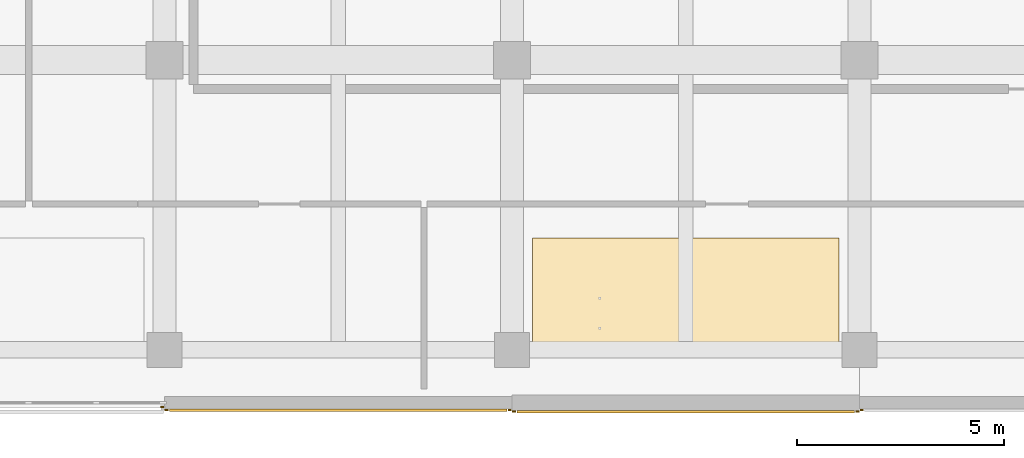
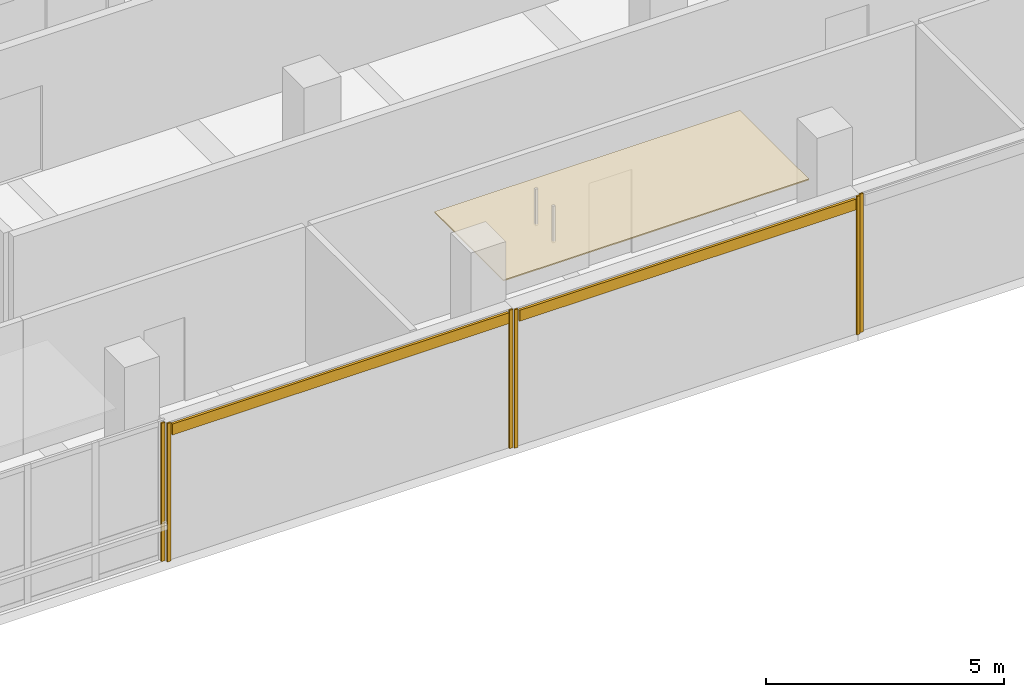
# One storey, part 29 of 39: 9 coverings.
"""IFC4 building model written with IfcOpenShell, lengths in metres."""

from ifc_helpers import new_model, si_unit, direction, frame, origin, origin_2d, place, context, subcontext, project, spatial, polyline, rectangle, outline, extrude, material, layer, layer_set, type_object, element, save


model = new_model("IFC4")

# Units and contexts
model_context = context("Model", 3, precision=1e-05, world=origin(), true_north=direction((0.0, 1.0)))
body_context = subcontext(model_context, "Body", "Model", "MODEL_VIEW")
ifc_project = project(units=[si_unit("LENGTHUNIT", "METRE"), si_unit("AREAUNIT", "SQUARE_METRE"), si_unit("VOLUMEUNIT", "CUBIC_METRE"), si_unit("PLANEANGLEUNIT", "RADIAN"), si_unit("MASSUNIT", "GRAM", prefix="KILO")], contexts=[model_context])

# Site, building, storey
site_placement = place(None, origin())
site = spatial("IfcSite", under=ifc_project, at=site_placement, CompositionType="ELEMENT")
building_placement = place(site_placement, origin())
building = spatial("IfcBuilding", under=site, at=building_placement, Name="Telukmera Botanical Conservatory", CompositionType="ELEMENT")
storey_placement = place(building_placement, frame((0.0, 0.0, 19.5)))
storey = spatial("IfcBuildingStorey", under=building, at=storey_placement, Name="L04", CompositionType="ELEMENT", Elevation=19.5)

# Coverings
ifc_material_1 = material(Name="Mineral fibre acoustic ceiling")
ifc_layer_1 = layer(ifc_material_1, 0.030029296875)
ifc_layer_set_1 = layer_set([ifc_layer_1], Name="Mineral fibre acoustic ceiling")
covering_type_1 = type_object("IfcCoveringType", Name="COV-CEIL-30", PredefinedType="CEILING", material=ifc_layer_set_1)
covering_placement = place(storey_placement, frame((0.0, 0.0, 3.320068359375)))
element("IfcCovering", 1, at=covering_placement, inside=storey, type_object=covering_type_1, Name="L04 Herbarium Digitization Studio Suspended Acoustic Ceiling", PredefinedType="CEILING", context=body_context, shape_type="SweptSolid", body=[
    extrude(outline(polyline([(67.695068359375, 10.39990234375), (75.10498046875, 10.39990234375), (75.10498046875, 13.300048828125), (67.695068359375, 13.300048828125), (67.695068359375, 10.39990234375)])), origin(), (0.0, 0.0, 1.0), 0.030029296875),
])
ifc_material_2 = material(Name="Granite-faced precast concrete C40/50", Category="masonry")
ifc_layer_2 = layer(ifc_material_2, 0.0400390625)
ifc_layer_set_2 = layer_set([ifc_layer_2], Name="Granite-faced precast concrete C40/50")
covering_type_2 = type_object("IfcCoveringType", Name="Granite Precast Column Pier Reveal Casing", PredefinedType="CLADDING", material=ifc_layer_set_2)
for number, where, z_axis, x_axis, name in (
    (2, (58.748046875, 9.219970703125, 0.0), (0.0, 0.0, 1.0), (1.0, 0.0, 0.0), "Granite Pier Reveal V4:L04:S1 R"),
    (3, (58.85205078125, 9.14990234375, 0.0), (0.0, 0.0, 1.0), (1.0, 0.0, 0.0), "Granite Pier Reveal V4:L04:S2 L"),
    (4, (67.14794921875, 9.14990234375, 0.0), (0.0, 0.0, 1.0), (1.0, 0.0, 0.0), "Granite Pier Reveal V4:L04:S2 R"),
    (5, (67.251953125, 9.110107421875, 0.0), (0.0, 0.0, 1.0), (1.0, 0.0, 0.0), "Granite Pier Reveal V4:L04:S3 L"),
    (6, (75.548095703125, 9.110107421875, 0.0), (0.0, 0.0, 1.0), (1.0, 0.0, 0.0), "Granite Pier Reveal V4:L04:S3 R"),
    (7, (75.652099609375, 9.14990234375, 0.0), (0.0, 0.0, 1.0), (1.0, 0.0, 0.0), "Granite Pier Reveal V4:L04:S4 L"),
):
    element("IfcCovering", number, at=place(storey_placement, frame(where, z_axis=z_axis, x_axis=x_axis)), inside=storey, type_object=covering_type_2, Name=name, PredefinedType="CLADDING", context=body_context, shape_type="SweptSolid", body=[
        extrude(rectangle(XDim=0.080078125, YDim=0.0400390625, at=origin_2d()), origin(), (0.0, 0.0, 1.0), 3.550048828125),
    ])
ifc_material_3 = material(Name="Terracotta-faced precast concrete C40/50", Category="masonry")
ifc_layer_3 = layer(ifc_material_3, 0.06005859375)
ifc_layer_set_3 = layer_set([ifc_layer_3], Name="Terracotta-faced precast concrete C40/50")
covering_type_3 = type_object("IfcCoveringType", Name="Polychrome Terracotta Facade Band Cladding", PredefinedType="CLADDING", material=ifc_layer_set_3)
for number, where, z_axis, x_axis, name in (
    (8, (63.0, 9.139892578125, 3.22998046875), (0.0, 0.0, 1.0), (1.0, 0.0, 0.0), "Polychrome Terracotta Band V4:L04:S2"),
    (9, (71.39990234375, 9.10009765625, 3.22998046875), (0.0, 0.0, 1.0), (1.0, 0.0, 0.0), "Polychrome Terracotta Band V4:L04:S3"),
):
    element("IfcCovering", number, at=place(storey_placement, frame(where, z_axis=z_axis, x_axis=x_axis)), inside=storey, type_object=covering_type_3, Name=name, PredefinedType="CLADDING", context=body_context, shape_type="SweptSolid", body=[
        extrude(rectangle(XDim=8.156005859375, YDim=0.06005859375, at=origin_2d()), origin(), (0.0, 0.0, 1.0), 0.280029296875),
    ])

save(model, "model.ifc")
